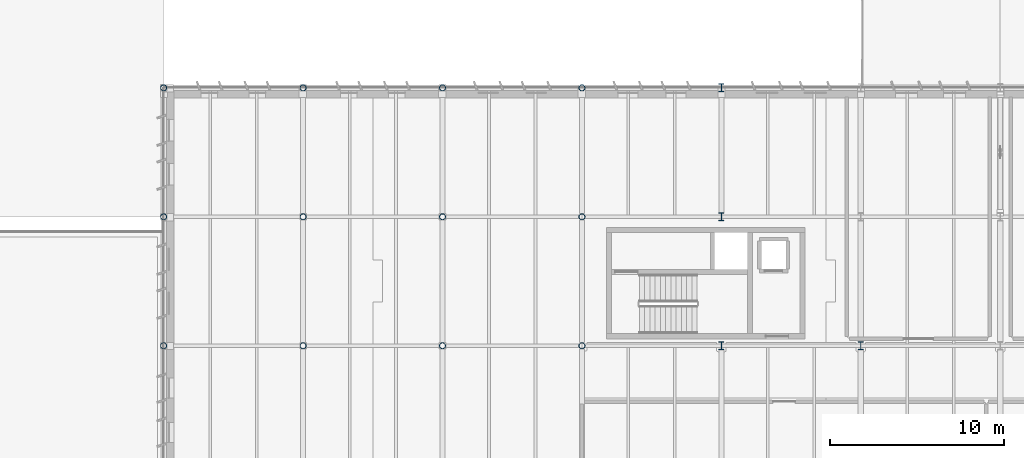
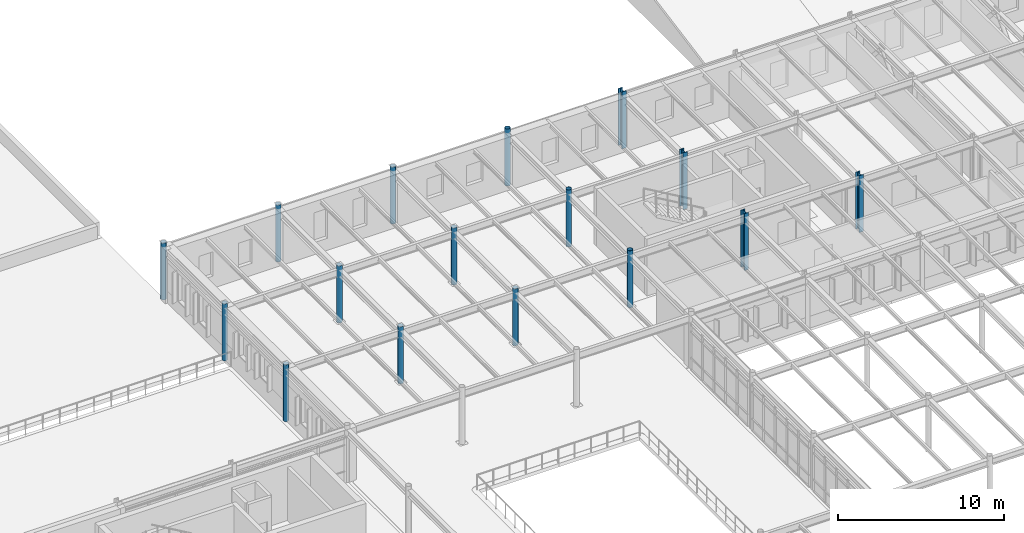
# One storey, part 6 of 63: 16 columns.
"""IFC4 building model written with IfcOpenShell, lengths in metres."""

from ifc_helpers import new_model, si_unit, direction, frame, origin, origin_2d, place, context, subcontext, project, spatial, hollow_circle, i_section, extrude, material, material_profile, profile_set, type_object, element, save


model = new_model("IFC4")

# Units and contexts
model_context = context("Model", 3, precision=1e-05, world=origin(), true_north=direction((0.0, 1.0)))
body_context = subcontext(model_context, "Body", "Model", "MODEL_VIEW")
ifc_project = project(units=[si_unit("LENGTHUNIT", "METRE"), si_unit("AREAUNIT", "SQUARE_METRE"), si_unit("VOLUMEUNIT", "CUBIC_METRE"), si_unit("PLANEANGLEUNIT", "RADIAN"), si_unit("MASSUNIT", "GRAM", prefix="KILO")], contexts=[model_context])

# Site, building, storey
site_placement = place(None, origin())
site = spatial("IfcSite", under=ifc_project, at=site_placement, CompositionType="ELEMENT")
building_placement = place(site_placement, origin())
building = spatial("IfcBuilding", under=site, at=building_placement, Name="Valkorina Park Police Headquarters", CompositionType="ELEMENT")
storey_placement = place(building_placement, frame((0.0, 0.0, 9.89990234375)))
storey = spatial("IfcBuildingStorey", under=building, at=storey_placement, Name="L03", CompositionType="ELEMENT", Elevation=9.89990234375)

# Columns
ifc_material = material(Name="Steel S355", Category="steel")
ifc_material_profile_1 = material_profile(ifc_material, hollow_circle(Radius=0.177734375, WallThickness=0.01611328125, at=origin_2d()), Name="CHS 355.6x16")
ifc_profile_set_1 = profile_set([ifc_material_profile_1], Name="Steel S355")
column_type_1 = type_object("IfcColumnType", Name="COL-S355-CHS355-EXT", PredefinedType="COLUMN", material=ifc_profile_set_1)
for number, where, z_axis, x_axis, name in (
    (1, (56.800048828125, 66.60009765625, 0.0), (0.0, 0.0, 1.0), (1.0, 0.0, 0.0), "L03 Column 0755"),
    (2, (56.800048828125, 74.0, 0.0), (0.0, 0.0, 1.0), (1.0, 0.0, 0.0), "L03 Column 0756"),
    (3, (56.800048828125, 81.39990234375, 0.0), (0.0, 0.0, 1.0), (1.0, 0.0, 0.0), "L03 Column 0757"),
    (4, (64.800048828125, 81.39990234375, 0.0), (0.0, 0.0, 1.0), (1.0, 0.0, 0.0), "L03 Column 0764"),
    (5, (72.800048828125, 81.39990234375, 0.0), (0.0, 0.0, 1.0), (1.0, 0.0, 0.0), "L03 Column 0771"),
    (6, (80.800048828125, 81.39990234375, 0.0), (0.0, 0.0, 1.0), (1.0, 0.0, 0.0), "L03 Column 0780"),
):
    element("IfcColumn", number, at=place(storey_placement, frame(where, z_axis=z_axis, x_axis=x_axis)), inside=storey, type_object=column_type_1, Name=name, PredefinedType="COLUMN", context=body_context, shape_type="SweptSolid", body=[
        extrude(hollow_circle(Radius=0.177734375, WallThickness=0.01611328125, at=origin_2d()), origin(), (0.0, 0.0, 1.0), 4.2001953125),
    ])
ifc_material_profile_2 = material_profile(ifc_material, hollow_circle(Radius=0.177734375, WallThickness=0.01611328125, at=origin_2d()), Name="CHS 355.6x16")
ifc_profile_set_2 = profile_set([ifc_material_profile_2], Name="Steel S355")
column_type_2 = type_object("IfcColumnType", Name="COL-S355-CHS355-INT", PredefinedType="COLUMN", material=ifc_profile_set_2)
for number, where, z_axis, x_axis, name in (
    (7, (64.800048828125, 66.60009765625, 0.0), (0.0, 0.0, 1.0), (1.0, 0.0, 0.0), "L03 Column 0762"),
    (8, (64.800048828125, 74.0, 0.0), (0.0, 0.0, 1.0), (1.0, 0.0, 0.0), "L03 Column 0763"),
    (9, (72.800048828125, 66.60009765625, 0.0), (0.0, 0.0, 1.0), (1.0, 0.0, 0.0), "L03 Column 0769"),
    (10, (72.800048828125, 74.0, 0.0), (0.0, 0.0, 1.0), (1.0, 0.0, 0.0), "L03 Column 0770"),
    (11, (80.800048828125, 66.60009765625, 0.0), (0.0, 0.0, 1.0), (1.0, 0.0, 0.0), "L03 Column 0778"),
    (12, (80.800048828125, 74.0, 0.0), (0.0, 0.0, 1.0), (1.0, 0.0, 0.0), "L03 Column 0779"),
):
    element("IfcColumn", number, at=place(storey_placement, frame(where, z_axis=z_axis, x_axis=x_axis)), inside=storey, type_object=column_type_2, Name=name, PredefinedType="COLUMN", context=body_context, shape_type="SweptSolid", body=[
        extrude(hollow_circle(Radius=0.177734375, WallThickness=0.01611328125, at=origin_2d()), origin(), (0.0, 0.0, 1.0), 4.2001953125),
    ])
ifc_material_profile_3 = material_profile(ifc_material, i_section(OverallWidth=0.300048828125, OverallDepth=0.449951171875, WebThickness=0.013916015625, FlangeThickness=0.02587890625, FilletRadius=0.027099609375, at=origin_2d()), Name="HEB 450")
ifc_profile_set_3 = profile_set([ifc_material_profile_3], Name="Steel S355")
column_type_3 = type_object("IfcColumnType", Name="COL-S355-HEB450-EXT", PredefinedType="COLUMN", material=ifc_profile_set_3)
column_placement = place(storey_placement, frame((88.800048828125, 81.39990234375, 0.0), z_axis=(0.0, 0.0, 1.0), x_axis=(1.0, 0.0, 0.0)))
element("IfcColumn", 13, at=column_placement, inside=storey, type_object=column_type_3, Name="L03 Column 0787", PredefinedType="COLUMN", context=body_context, shape_type="SweptSolid", body=[
    extrude(i_section(OverallWidth=0.300048828125, OverallDepth=0.449951171875, WebThickness=0.013916015625, FlangeThickness=0.02587890625, FilletRadius=0.027099609375, at=origin_2d()), origin(), (0.0, 0.0, 1.0), 4.2001953125),
])
ifc_material_profile_4 = material_profile(ifc_material, i_section(OverallWidth=0.300048828125, OverallDepth=0.449951171875, WebThickness=0.013916015625, FlangeThickness=0.02587890625, FilletRadius=0.027099609375, at=origin_2d()), Name="HEB 450")
ifc_profile_set_4 = profile_set([ifc_material_profile_4], Name="Steel S355")
column_type_4 = type_object("IfcColumnType", Name="COL-S355-HEB450-INT", PredefinedType="COLUMN", material=ifc_profile_set_4)
for number, where, z_axis, x_axis, name in (
    (14, (88.800048828125, 66.60009765625, 0.0), (0.0, 0.0, 1.0), (1.0, 0.0, 0.0), "L03 Column 0785"),
    (15, (88.800048828125, 74.0, 0.0), (0.0, 0.0, 1.0), (1.0, 0.0, 0.0), "L03 Column 0786"),
    (16, (96.800048828125, 66.60009765625, 0.0), (0.0, 0.0, 1.0), (1.0, 0.0, 0.0), "L03 Column 0792"),
):
    element("IfcColumn", number, at=place(storey_placement, frame(where, z_axis=z_axis, x_axis=x_axis)), inside=storey, type_object=column_type_4, Name=name, PredefinedType="COLUMN", context=body_context, shape_type="SweptSolid", body=[
        extrude(i_section(OverallWidth=0.300048828125, OverallDepth=0.449951171875, WebThickness=0.013916015625, FlangeThickness=0.02587890625, FilletRadius=0.027099609375, at=origin_2d()), origin(), (0.0, 0.0, 1.0), 4.2001953125),
    ])

save(model, "model.ifc")
